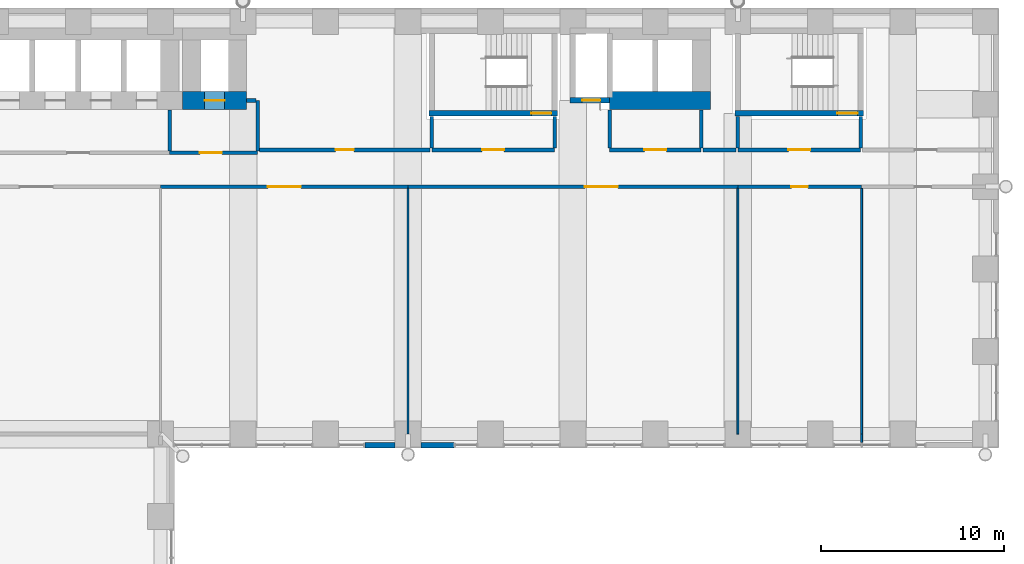
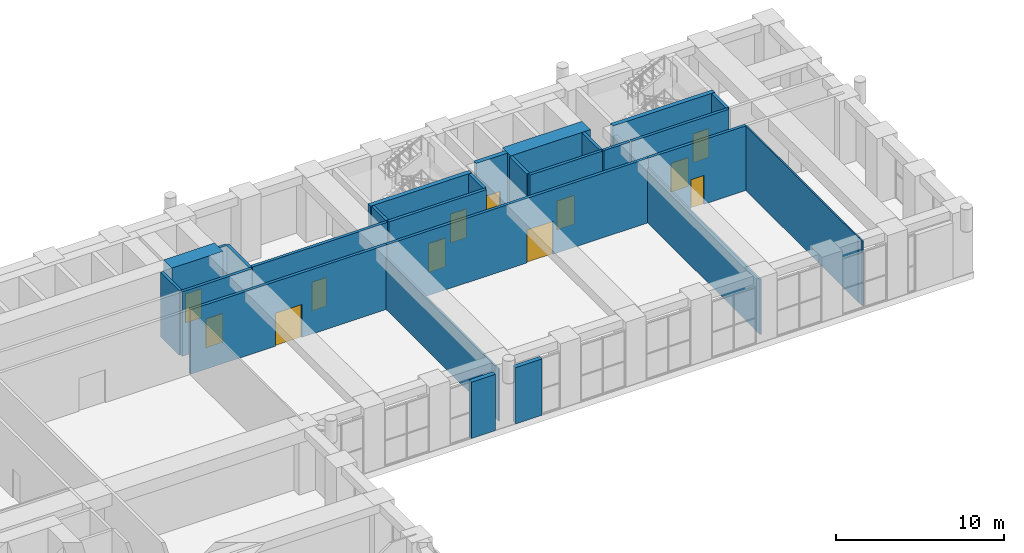
# One storey, part 20 of 35: 29 walls, 12 doors, 12 openings.
"""IFC4 building model written with IfcOpenShell, lengths in metres."""

from ifc_helpers import new_model, si_unit, direction, frame, frame_2d, origin, place, context, subcontext, project, spatial, rectangle, extrude, material, layer, layer_set, type_object, element, fill, save


model = new_model("IFC4")

# Units and contexts
model_context = context("Model", 3, precision=1e-05, world=origin(), true_north=direction((0.0, 1.0)))
body_context = subcontext(model_context, "Body", "Model", "MODEL_VIEW")
ifc_project = project(units=[si_unit("LENGTHUNIT", "METRE"), si_unit("AREAUNIT", "SQUARE_METRE"), si_unit("VOLUMEUNIT", "CUBIC_METRE"), si_unit("PLANEANGLEUNIT", "RADIAN"), si_unit("MASSUNIT", "GRAM", prefix="KILO")], contexts=[model_context])

# Site, building, storey
site_placement = place(None, origin())
site = spatial("IfcSite", under=ifc_project, at=site_placement, CompositionType="ELEMENT")
building_placement = place(site_placement, origin())
building = spatial("IfcBuilding", under=site, at=building_placement, Name="Firuza Court", CompositionType="ELEMENT")
storey_placement = place(building_placement, frame((0.0, 0.0, 24.0)))
storey = spatial("IfcBuildingStorey", under=building, at=storey_placement, Name="L04", CompositionType="ELEMENT", Elevation=24.0)

# Wall, opening, door
ifc_material_1 = material(Name="Concrete C60/75", Category="concrete")
ifc_layer_1 = layer(ifc_material_1, 1.0)
ifc_layer_set_1 = layer_set([ifc_layer_1], Name="Concrete C60/75")
wall_type_1 = type_object("IfcWallType", Name="Core wall 1000 C60/75", PredefinedType="SHEAR", material=ifc_layer_set_1)
wall_1_placement = place(storey_placement, frame((23.699951171875, 54.199951171875, -0.449951171875), z_axis=(0.0, 0.0, 1.0), x_axis=(1.0, 0.0, 0.0)))
wall_1 = element("IfcWall", 1, at=wall_1_placement, inside=storey, type_object=wall_type_1, Name="Core wall lift shaft L04", PredefinedType="SHEAR", context=body_context, shape_type="SweptSolid", body=[
    extrude(rectangle(XDim=3.5, YDim=1.0, at=frame_2d((1.75, 0.0))), origin(), (0.0, 0.0, 1.0), 5.14990234375),
])
opening_1_placement = place(wall_1_placement, frame((1.199951171875, 0.0, 0.449951171875)))
opening_1 = element("IfcOpeningElement", 2, at=opening_1_placement, cuts=wall_1, Name="Opening LD-FL3-04", PredefinedType="OPENING", context=body_context, shape_type="SweptSolid", body=[
    extrude(rectangle(XDim=1.10009765625, YDim=2.10009765625, at=frame_2d((0.550048828125, 1.050048828125))), frame((0.0, 0.511962890625, 0.0), z_axis=(0.0, -1.0, 0.0), x_axis=(1.0, 0.0, 0.0)), (0.0, 0.0, 1.0), 1.02392578125),
])
ifc_material_2 = material(Name="Stainless steel 1.4301 door leaf", Category="steel")
door_type_1 = type_object("IfcDoorType", Name="Lift landing door 1100", OperationType="SLIDING_TO_LEFT", PredefinedType="DOOR", material=ifc_material_2)
door_1_placement = place(opening_1_placement, origin())
door_1 = element("IfcDoor", 3, at=door_1_placement, inside=storey, type_object=door_type_1, Name="Landing door FL3", OperationType="SLIDING_TO_LEFT", OverallHeight=2.10009765625, OverallWidth=1.10009765625, PredefinedType="DOOR", context=body_context, shape_type="SweptSolid", body=[
    extrude(rectangle(XDim=1.10009765625, YDim=2.10009765625, at=frame_2d((0.550048828125, 1.050048828125))), frame((0.0, 0.02490234375, 0.0), z_axis=(0.0, -1.0, 0.0), x_axis=(1.0, 0.0, 0.0)), (0.0, 0.0, 1.0), 0.050048828125),
])
fill(opening_1, door_1)

# Wall
wall_2_placement = place(storey_placement, frame((47.0, 54.199951171875, -0.449951171875), z_axis=(0.0, 0.0, 1.0), x_axis=(1.0, 0.0, 0.0)))
element("IfcWall", 4, at=wall_2_placement, inside=storey, type_object=wall_type_1, Name="Core wall lift shaft L04", PredefinedType="SHEAR", context=body_context, shape_type="SweptSolid", body=[
    extrude(rectangle(XDim=5.5, YDim=1.0, at=frame_2d((2.75, 0.0))), origin(), (0.0, 0.0, 1.0), 5.14990234375),
])

# Wall, opening, door
ifc_layer_2 = layer(ifc_material_1, 0.300048828125)
ifc_layer_set_2 = layer_set([ifc_layer_2], Name="Concrete C60/75")
wall_type_2 = type_object("IfcWallType", Name="Core wall 300 C60/75", PredefinedType="SHEAR", material=ifc_layer_set_2)
wall_3_placement = place(storey_placement, frame((37.14990234375, 53.5, -0.449951171875), z_axis=(0.0, 0.0, 1.0), x_axis=(1.0, 0.0, 0.0)))
wall_3 = element("IfcWall", 5, at=wall_3_placement, inside=storey, type_object=wall_type_2, Name="Core wall stair L04", PredefinedType="SHEAR", context=body_context, shape_type="SweptSolid", body=[
    extrude(rectangle(XDim=7.0, YDim=0.300048828125, at=frame_2d((3.5, 0.0))), origin(), (0.0, 0.0, 1.0), 5.14990234375),
])
opening_2_placement = place(wall_3_placement, frame((5.580078125, 0.0, 0.449951171875)))
opening_2 = element("IfcOpeningElement", 6, at=opening_2_placement, cuts=wall_3, Name="Opening D04013", PredefinedType="OPENING", context=body_context, shape_type="SweptSolid", body=[
    extrude(rectangle(XDim=1.10009765625, YDim=2.10009765625, at=frame_2d((0.550048828125, 1.050048828125))), frame((0.0, 0.162109375, 0.0), z_axis=(0.0, -1.0, 0.0), x_axis=(1.0, 0.0, 0.0)), (0.0, 0.0, 1.0), 0.323974609375),
])
ifc_material_3 = material(Name="Timber door leaf in hardwood frame", Category="wood")
door_type_2 = type_object("IfcDoorType", Name="Stair door 1100", OperationType="SINGLE_SWING_LEFT", PredefinedType="DOOR", material=ifc_material_3)
door_2_placement = place(opening_2_placement, origin())
door_2 = element("IfcDoor", 7, at=door_2_placement, inside=storey, type_object=door_type_2, Name="Stair door S1", OperationType="SINGLE_SWING_RIGHT", OverallHeight=2.10009765625, OverallWidth=1.10009765625, PredefinedType="DOOR", context=body_context, shape_type="SweptSolid", body=[
    extrude(rectangle(XDim=1.10009765625, YDim=2.10009765625, at=frame_2d((0.550048828125, 1.050048828125))), frame((0.0, 0.02490234375, 0.0), z_axis=(0.0, -1.0, 0.0), x_axis=(1.0, 0.0, 0.0)), (0.0, 0.0, 1.0), 0.050048828125),
])
fill(opening_2, door_2)

wall_4_placement = place(storey_placement, frame((44.85009765625, 54.199951171875, -0.449951171875), z_axis=(0.0, 0.0, 1.0), x_axis=(1.0, 0.0, 0.0)))
wall_4 = element("IfcWall", 8, at=wall_4_placement, inside=storey, type_object=wall_type_2, Name="Core wall riser L04", PredefinedType="SHEAR", context=body_context, shape_type="SweptSolid", body=[
    extrude(rectangle(XDim=2.14990234375, YDim=0.300048828125, at=frame_2d((1.074951171875, 0.0))), origin(), (0.0, 0.0, 1.0), 5.14990234375),
])
opening_3_placement = place(wall_4_placement, frame((0.64990234375, 0.0, 0.449951171875)))
opening_3 = element("IfcOpeningElement", 9, at=opening_3_placement, cuts=wall_4, Name="Opening D04011", PredefinedType="OPENING", context=body_context, shape_type="SweptSolid", body=[
    extrude(rectangle(XDim=1.0, YDim=2.10009765625, at=frame_2d((0.5, 1.050048828125))), frame((0.0, 0.162109375, 0.0), z_axis=(0.0, -1.0, 0.0), x_axis=(1.0, 0.0, 0.0)), (0.0, 0.0, 1.0), 0.323974609375),
])
ifc_material_4 = material(Name="Timber door leaf in hardwood frame", Category="wood")
door_type_3 = type_object("IfcDoorType", Name="Riser door 1000", OperationType="SINGLE_SWING_LEFT", PredefinedType="DOOR", material=ifc_material_4)
door_3_placement = place(opening_3_placement, frame((1.0, 0.0, 0.0), z_axis=(0.0, 0.0, 1.0), x_axis=(-1.0, 0.0, 0.0)))
door_3 = element("IfcDoor", 10, at=door_3_placement, inside=storey, type_object=door_type_3, Name="Riser door R3", OperationType="SINGLE_SWING_RIGHT", OverallHeight=2.10009765625, OverallWidth=1.0, PredefinedType="DOOR", context=body_context, shape_type="SweptSolid", body=[
    extrude(rectangle(XDim=1.0, YDim=2.10009765625, at=frame_2d((0.5, 1.050048828125))), frame((0.0, 0.02490234375, 0.0), z_axis=(0.0, -1.0, 0.0), x_axis=(1.0, 0.0, 0.0)), (0.0, 0.0, 1.0), 0.050048828125),
])
fill(opening_3, door_3)

wall_5_placement = place(storey_placement, frame((53.85009765625, 53.5, -0.449951171875), z_axis=(0.0, 0.0, 1.0), x_axis=(1.0, 0.0, 0.0)))
wall_5 = element("IfcWall", 11, at=wall_5_placement, inside=storey, type_object=wall_type_2, Name="Core wall stair L04", PredefinedType="SHEAR", context=body_context, shape_type="SweptSolid", body=[
    extrude(rectangle(XDim=7.0, YDim=0.300048828125, at=frame_2d((3.5, 0.0))), origin(), (0.0, 0.0, 1.0), 5.14990234375),
])
opening_4_placement = place(wall_5_placement, frame((5.580078125, 0.0, 0.449951171875)))
opening_4 = element("IfcOpeningElement", 12, at=opening_4_placement, cuts=wall_5, Name="Opening D04017", PredefinedType="OPENING", context=body_context, shape_type="SweptSolid", body=[
    extrude(rectangle(XDim=1.10009765625, YDim=2.10009765625, at=frame_2d((0.550048828125, 1.050048828125))), frame((0.0, 0.162109375, 0.0), z_axis=(0.0, -1.0, 0.0), x_axis=(1.0, 0.0, 0.0)), (0.0, 0.0, 1.0), 0.323974609375),
])
door_4_placement = place(opening_4_placement, origin())
door_4 = element("IfcDoor", 13, at=door_4_placement, inside=storey, type_object=door_type_2, Name="Stair door S4", OperationType="SINGLE_SWING_RIGHT", OverallHeight=2.10009765625, OverallWidth=1.10009765625, PredefinedType="DOOR", context=body_context, shape_type="SweptSolid", body=[
    extrude(rectangle(XDim=1.10009765625, YDim=2.10009765625, at=frame_2d((0.550048828125, 1.050048828125))), frame((0.0, 0.02490234375, 0.0), z_axis=(0.0, -1.0, 0.0), x_axis=(1.0, 0.0, 0.0)), (0.0, 0.0, 1.0), 0.050048828125),
])
fill(opening_4, door_4)

ifc_material_5 = material(Name="Blockwork, plastered both sides", Category="masonry")
ifc_layer_3 = layer(ifc_material_5, 0.199951171875)
ifc_layer_set_3 = layer_set([ifc_layer_3], Name="Blockwork, plastered both sides")
wall_type_3 = type_object("IfcWallType", Name="Corridor wall 200", PredefinedType="PARTITIONING", material=ifc_layer_set_3)
wall_6_placement = place(storey_placement, frame((22.5, 49.5, 0.0), z_axis=(0.0, 0.0, 1.0), x_axis=(1.0, 0.0, 0.0)))
wall_6 = element("IfcWall", 14, at=wall_6_placement, inside=storey, type_object=wall_type_3, Name="Corridor wall 200 L04", PredefinedType="PARTITIONING", context=body_context, shape_type="SweptSolid", body=[
    extrude(rectangle(XDim=13.5, YDim=0.199951171875, at=frame_2d((6.75, 0.0))), origin(), (0.0, 0.0, 1.0), 4.699951171875),
])
opening_5_placement = place(wall_6_placement, frame((5.85009765625, 0.0, 0.0)))
opening_5 = element("IfcOpeningElement", 15, at=opening_5_placement, cuts=wall_6, Name="Opening D04029", PredefinedType="OPENING", context=body_context, shape_type="SweptSolid", body=[
    extrude(rectangle(XDim=1.800048828125, YDim=2.39990234375, at=frame_2d((0.89990234375, 1.199951171875))), frame((0.0, 0.11181640625, 0.0), z_axis=(0.0, -1.0, 0.0), x_axis=(1.0, 0.0, 0.0)), (0.0, 0.0, 1.0), 0.223876953125),
])
ifc_material_6 = material(Name="Timber door leaf in hardwood frame", Category="wood")
door_type_4 = type_object("IfcDoorType", Name="Double door 1800 EI 30", OperationType="DOUBLE_DOOR_SINGLE_SWING", PredefinedType="DOOR", material=ifc_material_6)
door_5_placement = place(opening_5_placement, origin())
door_5 = element("IfcDoor", 16, at=door_5_placement, inside=storey, type_object=door_type_4, Name="Double door", OperationType="DOUBLE_DOOR_SINGLE_SWING", OverallHeight=2.39990234375, OverallWidth=1.800048828125, PredefinedType="DOOR", context=body_context, shape_type="SweptSolid", body=[
    extrude(rectangle(XDim=1.800048828125, YDim=2.39990234375, at=frame_2d((0.89990234375, 1.199951171875))), frame((0.0, 0.02490234375, 0.0), z_axis=(0.0, -1.0, 0.0), x_axis=(1.0, 0.0, 0.0)), (0.0, 0.0, 1.0), 0.050048828125),
])
fill(opening_5, door_5)

wall_7_placement = place(storey_placement, frame((36.0, 49.5, 0.0), z_axis=(0.0, 0.0, 1.0), x_axis=(1.0, 0.0, 0.0)))
wall_7 = element("IfcWall", 17, at=wall_7_placement, inside=storey, type_object=wall_type_3, Name="Corridor wall 200 L04", PredefinedType="PARTITIONING", context=body_context, shape_type="SweptSolid", body=[
    extrude(rectangle(XDim=18.0, YDim=0.199951171875, at=frame_2d((9.0, 0.0))), origin(), (0.0, 0.0, 1.0), 4.699951171875),
])
opening_6_placement = place(wall_7_placement, frame((9.64990234375, 0.0, 0.0)))
opening_6 = element("IfcOpeningElement", 18, at=opening_6_placement, cuts=wall_7, Name="Opening D04030", PredefinedType="OPENING", context=body_context, shape_type="SweptSolid", body=[
    extrude(rectangle(XDim=1.800048828125, YDim=2.39990234375, at=frame_2d((0.89990234375, 1.199951171875))), frame((0.0, 0.11181640625, 0.0), z_axis=(0.0, -1.0, 0.0), x_axis=(1.0, 0.0, 0.0)), (0.0, 0.0, 1.0), 0.223876953125),
])
door_6_placement = place(opening_6_placement, origin())
door_6 = element("IfcDoor", 19, at=door_6_placement, inside=storey, type_object=door_type_4, Name="Double door", OperationType="DOUBLE_DOOR_SINGLE_SWING", OverallHeight=2.39990234375, OverallWidth=1.800048828125, PredefinedType="DOOR", context=body_context, shape_type="SweptSolid", body=[
    extrude(rectangle(XDim=1.800048828125, YDim=2.39990234375, at=frame_2d((0.89990234375, 1.199951171875))), frame((0.0, 0.02490234375, 0.0), z_axis=(0.0, -1.0, 0.0), x_axis=(1.0, 0.0, 0.0)), (0.0, 0.0, 1.0), 0.050048828125),
])
fill(opening_6, door_6)

wall_8_placement = place(storey_placement, frame((54.0, 49.5, 0.0), z_axis=(0.0, 0.0, 1.0), x_axis=(1.0, 0.0, 0.0)))
wall_8 = element("IfcWall", 20, at=wall_8_placement, inside=storey, type_object=wall_type_3, Name="Corridor wall 200 L04", PredefinedType="PARTITIONING", context=body_context, shape_type="SweptSolid", body=[
    extrude(rectangle(XDim=6.75, YDim=0.199951171875, at=frame_2d((3.375, 0.0))), origin(), (0.0, 0.0, 1.0), 4.699951171875),
])
opening_7_placement = place(wall_8_placement, frame((2.925048828125, 0.0, 0.0)))
opening_7 = element("IfcOpeningElement", 21, at=opening_7_placement, cuts=wall_8, Name="Opening D04031", PredefinedType="OPENING", context=body_context, shape_type="SweptSolid", body=[
    extrude(rectangle(XDim=0.89990234375, YDim=2.10009765625, at=frame_2d((0.449951171875, 1.050048828125))), frame((0.0, 0.11181640625, 0.0), z_axis=(0.0, -1.0, 0.0), x_axis=(1.0, 0.0, 0.0)), (0.0, 0.0, 1.0), 0.223876953125),
])
ifc_material_7 = material(Name="Timber door leaf in hardwood frame", Category="wood")
door_type_5 = type_object("IfcDoorType", Name="Room door 900 EI 30", OperationType="SINGLE_SWING_LEFT", PredefinedType="DOOR", material=ifc_material_7)
door_7_placement = place(opening_7_placement, origin())
door_7 = element("IfcDoor", 22, at=door_7_placement, inside=storey, type_object=door_type_5, Name="Room door", OperationType="SINGLE_SWING_LEFT", OverallHeight=2.10009765625, OverallWidth=0.89990234375, PredefinedType="DOOR", context=body_context, shape_type="SweptSolid", body=[
    extrude(rectangle(XDim=0.89990234375, YDim=2.10009765625, at=frame_2d((0.449951171875, 1.050048828125))), frame((0.0, 0.02490234375, 0.0), z_axis=(0.0, -1.0, 0.0), x_axis=(1.0, 0.0, 0.0)), (0.0, 0.0, 1.0), 0.050048828125),
])
fill(opening_7, door_7)

# Walls
ifc_material_8 = material(Name="Timber stud partition, plasterboard both sides", Category="wood")
ifc_layer_4 = layer(ifc_material_8, 0.10009765625)
ifc_layer_set_4 = layer_set([ifc_layer_4], Name="Timber stud partition, plasterboard both sides")
wall_type_4 = type_object("IfcWallType", Name="Partition wall 100", PredefinedType="PARTITIONING", material=ifc_layer_set_4)
wall_9_placement = place(storey_placement, frame((60.75, 36.0, 0.0), z_axis=(0.0, 0.0, 1.0), x_axis=(0.0, -1.0, 0.0)))
element("IfcWall", 23, at=wall_9_placement, inside=storey, type_object=wall_type_4, Name="Partition wall 100 L04", PredefinedType="PARTITIONING", context=body_context, shape_type="SweptSolid", body=[
    extrude(rectangle(XDim=0.449951171875, YDim=0.10009765625, at=frame_2d((0.22509765625, 0.0))), origin(), (0.0, 0.0, 1.0), 4.699951171875),
])
wall_10_placement = place(storey_placement, frame((36.0, 49.39990234375, 0.0), z_axis=(0.0, 0.0, 1.0), x_axis=(0.0, -1.0, 0.0)))
element("IfcWall", 24, at=wall_10_placement, inside=storey, type_object=wall_type_4, Name="Partition wall 100 L04", PredefinedType="PARTITIONING", context=body_context, shape_type="SweptSolid", body=[
    extrude(rectangle(XDim=13.39990234375, YDim=0.10009765625, at=frame_2d((6.699951171875, 0.0))), origin(), (0.0, 0.0, 1.0), 3.800048828125),
])
wall_11_placement = place(storey_placement, frame((54.0, 49.39990234375, 0.0), z_axis=(0.0, 0.0, 1.0), x_axis=(0.0, -1.0, 0.0)))
element("IfcWall", 25, at=wall_11_placement, inside=storey, type_object=wall_type_4, Name="Partition wall 100 L04", PredefinedType="PARTITIONING", context=body_context, shape_type="SweptSolid", body=[
    extrude(rectangle(XDim=13.39990234375, YDim=0.10009765625, at=frame_2d((6.699951171875, 0.0))), origin(), (0.0, 0.0, 1.0), 4.0),
])
wall_12_placement = place(storey_placement, frame((60.75, 49.39990234375, 0.0), z_axis=(0.0, 0.0, 1.0), x_axis=(0.0, -1.0, 0.0)))
element("IfcWall", 26, at=wall_12_placement, inside=storey, type_object=wall_type_4, Name="Partition wall 100 L04", PredefinedType="PARTITIONING", context=body_context, shape_type="SweptSolid", body=[
    extrude(rectangle(XDim=13.39990234375, YDim=0.10009765625, at=frame_2d((6.699951171875, 0.0))), origin(), (0.0, 0.0, 1.0), 4.699951171875),
])

# Wall, opening, door
ifc_material_9 = material(Name="Blockwork, fire-rated", Category="masonry")
ifc_layer_5 = layer(ifc_material_9, 0.199951171875)
ifc_layer_set_5 = layer_set([ifc_layer_5], Name="Blockwork, fire-rated")
wall_type_5 = type_object("IfcWallType", Name="Plant room wall 200", PredefinedType="PARTITIONING", material=ifc_layer_set_5)
wall_13_placement = place(storey_placement, frame((37.199951171875, 51.5, 0.0), z_axis=(0.0, 0.0, 1.0), x_axis=(-1.0, 0.0, 0.0)))
wall_13 = element("IfcWall", 27, at=wall_13_placement, inside=storey, type_object=wall_type_5, Name="Plant room wall 200 L04", PredefinedType="PARTITIONING", context=body_context, shape_type="SweptSolid", body=[
    extrude(rectangle(XDim=9.300048828125, YDim=0.199951171875, at=frame_2d((4.64990234375, 0.0))), origin(), (0.0, 0.0, 1.0), 4.699951171875),
])
opening_8_placement = place(wall_13_placement, frame((4.14990234375, 0.0, 0.0)))
opening_8 = element("IfcOpeningElement", 28, at=opening_8_placement, cuts=wall_13, Name="Opening D04033", PredefinedType="OPENING", context=body_context, shape_type="SweptSolid", body=[
    extrude(rectangle(XDim=1.0, YDim=2.10009765625, at=frame_2d((0.5, 1.050048828125))), frame((0.0, 0.11181640625, 0.0), z_axis=(0.0, -1.0, 0.0), x_axis=(1.0, 0.0, 0.0)), (0.0, 0.0, 1.0), 0.223876953125),
])
ifc_material_10 = material(Name="Timber door leaf in hardwood frame", Category="wood")
door_type_6 = type_object("IfcDoorType", Name="Store door 1000", OperationType="SINGLE_SWING_LEFT", PredefinedType="DOOR", material=ifc_material_10)
door_8_placement = place(opening_8_placement, frame((1.0, 0.0, 0.0), z_axis=(0.0, 0.0, 1.0), x_axis=(-1.0, 0.0, 0.0)))
door_8 = element("IfcDoor", 29, at=door_8_placement, inside=storey, type_object=door_type_6, Name="Store door", OperationType="SINGLE_SWING_RIGHT", OverallHeight=2.10009765625, OverallWidth=1.0, PredefinedType="DOOR", context=body_context, shape_type="SweptSolid", body=[
    extrude(rectangle(XDim=1.0, YDim=2.10009765625, at=frame_2d((0.5, 1.050048828125))), frame((0.0, 0.02490234375, 0.0), z_axis=(0.0, -1.0, 0.0), x_axis=(1.0, 0.0, 0.0)), (0.0, 0.0, 1.0), 0.050048828125),
])
fill(opening_8, door_8)

# Walls
wall_14_placement = place(storey_placement, frame((53.89990234375, 51.5, 0.0), z_axis=(0.0, 0.0, 1.0), x_axis=(-1.0, 0.0, 0.0)))
element("IfcWall", 30, at=wall_14_placement, inside=storey, type_object=wall_type_5, Name="Plant room wall 200 L04", PredefinedType="PARTITIONING", context=body_context, shape_type="SweptSolid", body=[
    extrude(rectangle(XDim=1.7998046875, YDim=0.199951171875, at=frame_2d((0.89990234375, 0.0))), origin(), (0.0, 0.0, 1.0), 4.699951171875),
])
ifc_material_11 = material(Name="Ceramic tile", Category="ceramic")
ifc_layer_6 = layer(ifc_material_11, 0.02001953125)
ifc_material_12 = material(Name="Mineral wool insulation", Category="insulation")
ifc_layer_7 = layer(ifc_material_12, 0.1298828125)
ifc_material_13 = material(Name="Concrete C40/50 precast", Category="concrete")
ifc_layer_8 = layer(ifc_material_13, 0.14990234375)
ifc_layer_set_6 = layer_set([ifc_layer_6, ifc_layer_7, ifc_layer_8], Name="Concrete C40/50 precast")
wall_type_6 = type_object("IfcWallType", Name="Precast spandrel wall with turquoise TILE PANEL face 300", PredefinedType="STANDARD", material=ifc_layer_set_6)
wall_15_placement = place(storey_placement, frame((33.651611328125, 35.39990234375, 0.0), z_axis=(0.0, 0.0, 1.0), x_axis=(1.0, 0.0, 0.0)))
element("IfcWall", 31, at=wall_15_placement, inside=storey, type_object=wall_type_6, Name="Facade wall L04 S", PredefinedType="STANDARD", context=body_context, shape_type="SweptSolid", body=[
    extrude(rectangle(XDim=1.6484375, YDim=0.300048828125, at=frame_2d((0.82421875, 0.0))), origin(), (0.0, 0.0, 1.0), 4.10009765625),
])
wall_16_placement = place(storey_placement, frame((36.699951171875, 35.39990234375, 0.0), z_axis=(0.0, 0.0, 1.0), x_axis=(1.0, 0.0, 0.0)))
element("IfcWall", 32, at=wall_16_placement, inside=storey, type_object=wall_type_6, Name="Facade wall L04 S", PredefinedType="STANDARD", context=body_context, shape_type="SweptSolid", body=[
    extrude(rectangle(XDim=1.809326171875, YDim=0.300048828125, at=frame_2d((0.90478515625, 0.0))), origin(), (0.0, 0.0, 1.0), 4.10009765625),
])
ifc_layer_9 = layer(ifc_material_9, 0.199951171875)
ifc_layer_set_7 = layer_set([ifc_layer_9], Name="Blockwork, fire-rated")
wall_type_7 = type_object("IfcWallType", Name="Shaft wall 200", PredefinedType="PARTITIONING", material=ifc_layer_set_7)
wall_17_placement = place(storey_placement, frame((23.0, 51.449951171875, 0.0), z_axis=(0.0, 0.0, 1.0), x_axis=(0.0, 1.0, 0.0)))
element("IfcWall", 33, at=wall_17_placement, inside=storey, type_object=wall_type_7, Name="Shaft wall 200 L04", PredefinedType="PARTITIONING", context=body_context, shape_type="SweptSolid", body=[
    extrude(rectangle(XDim=2.22998046875, YDim=0.199951171875, at=frame_2d((1.114990234375, 0.0))), origin(), (0.0, 0.0, 1.0), 4.699951171875),
])

# Wall, opening, door
wall_18_placement = place(storey_placement, frame((47.0, 51.5, 0.0), z_axis=(0.0, 0.0, 1.0), x_axis=(1.0, 0.0, 0.0)))
wall_18 = element("IfcWall", 34, at=wall_18_placement, inside=storey, type_object=wall_type_7, Name="Shaft wall 200 L04", PredefinedType="PARTITIONING", context=body_context, shape_type="SweptSolid", body=[
    extrude(rectangle(XDim=5.0, YDim=0.199951171875, at=frame_2d((2.5, 0.0))), origin(), (0.0, 0.0, 1.0), 4.699951171875),
])
opening_9_placement = place(wall_18_placement, frame((1.89990234375, 0.0, 0.0)))
opening_9 = element("IfcOpeningElement", 35, at=opening_9_placement, cuts=wall_18, Name="Opening D04009", PredefinedType="OPENING", context=body_context, shape_type="SweptSolid", body=[
    extrude(rectangle(XDim=1.199951171875, YDim=2.10009765625, at=frame_2d((0.60009765625, 1.050048828125))), frame((0.0, 0.11181640625, 0.0), z_axis=(0.0, -1.0, 0.0), x_axis=(1.0, 0.0, 0.0)), (0.0, 0.0, 1.0), 0.223876953125),
])
ifc_material_14 = material(Name="Timber door leaf in hardwood frame", Category="wood")
door_type_7 = type_object("IfcDoorType", Name="Lobby door 1200", OperationType="SINGLE_SWING_LEFT", PredefinedType="DOOR", material=ifc_material_14)
door_9_placement = place(opening_9_placement, origin())
door_9 = element("IfcDoor", 36, at=door_9_placement, inside=storey, type_object=door_type_7, Name="Lobby door", OperationType="SINGLE_SWING_LEFT", OverallHeight=2.10009765625, OverallWidth=1.199951171875, PredefinedType="DOOR", context=body_context, shape_type="SweptSolid", body=[
    extrude(rectangle(XDim=1.199951171875, YDim=2.10009765625, at=frame_2d((0.60009765625, 1.050048828125))), frame((0.0, 0.02490234375, 0.0), z_axis=(0.0, -1.0, 0.0), x_axis=(1.0, 0.0, 0.0)), (0.0, 0.0, 1.0), 0.050048828125),
])
fill(opening_9, door_9)

# Walls
for number, where, z_axis, x_axis, name in (
    (37, (52.0, 51.60009765625, 0.0), (0.0, 0.0, 1.0), (0.0, 1.0, 0.0), "Shaft wall 200 L04"),
    (38, (47.0, 51.60009765625, 0.0), (0.0, 0.0, 1.0), (0.0, 1.0, 0.0), "Shaft wall 200 L04"),
):
    element("IfcWall", number, at=place(storey_placement, frame(where, z_axis=z_axis, x_axis=x_axis)), inside=storey, type_object=wall_type_7, Name=name, PredefinedType="PARTITIONING", context=body_context, shape_type="SweptSolid", body=[
        extrude(rectangle(XDim=2.079833984375, YDim=0.199951171875, at=frame_2d((1.0400390625, 0.0))), origin(), (0.0, 0.0, 1.0), 4.699951171875),
    ])

# Wall, opening, door
wall_19_placement = place(storey_placement, frame((23.0, 51.35009765625, 0.0), z_axis=(0.0, 0.0, 1.0), x_axis=(1.0, 0.0, 0.0)))
wall_19 = element("IfcWall", 39, at=wall_19_placement, inside=storey, type_object=wall_type_7, Name="Shaft wall 200 L04", PredefinedType="PARTITIONING", context=body_context, shape_type="SweptSolid", body=[
    extrude(rectangle(XDim=4.800048828125, YDim=0.199951171875, at=frame_2d((2.39990234375, 0.0))), origin(), (0.0, 0.0, 1.0), 4.699951171875),
])
opening_10_placement = place(wall_19_placement, frame((1.64990234375, 0.0, 0.0)))
opening_10 = element("IfcOpeningElement", 40, at=opening_10_placement, cuts=wall_19, Name="Opening D04003", PredefinedType="OPENING", context=body_context, shape_type="SweptSolid", body=[
    extrude(rectangle(XDim=1.199951171875, YDim=2.10009765625, at=frame_2d((0.60009765625, 1.050048828125))), frame((0.0, 0.11181640625, 0.0), z_axis=(0.0, -1.0, 0.0), x_axis=(1.0, 0.0, 0.0)), (0.0, 0.0, 1.0), 0.223876953125),
])
door_10_placement = place(opening_10_placement, origin())
door_10 = element("IfcDoor", 41, at=door_10_placement, inside=storey, type_object=door_type_7, Name="Fire-fighting lobby door", OperationType="SINGLE_SWING_LEFT", OverallHeight=2.10009765625, OverallWidth=1.199951171875, PredefinedType="DOOR", context=body_context, shape_type="SweptSolid", body=[
    extrude(rectangle(XDim=1.199951171875, YDim=2.10009765625, at=frame_2d((0.60009765625, 1.050048828125))), frame((0.0, 0.02490234375, 0.0), z_axis=(0.0, -1.0, 0.0), x_axis=(1.0, 0.0, 0.0)), (0.0, 0.0, 1.0), 0.050048828125),
])
fill(opening_10, door_10)

# Walls
wall_20_placement = place(storey_placement, frame((27.800048828125, 51.449951171875, 0.0), z_axis=(0.0, 0.0, 1.0), x_axis=(0.0, 1.0, 0.0)))
element("IfcWall", 42, at=wall_20_placement, inside=storey, type_object=wall_type_7, Name="Shaft wall 200 L04", PredefinedType="PARTITIONING", context=body_context, shape_type="SweptSolid", body=[
    extrude(rectangle(XDim=2.75, YDim=0.199951171875, at=frame_2d((1.375, 0.0))), origin(), (0.0, 0.0, 1.0), 4.699951171875),
])
wall_21_placement = place(storey_placement, frame((27.199951171875, 54.199951171875, 0.0), z_axis=(0.0, 0.0, 1.0), x_axis=(1.0, 0.0, 0.0)))
element("IfcWall", 43, at=wall_21_placement, inside=storey, type_object=wall_type_7, Name="Shaft wall 200 L04", PredefinedType="PARTITIONING", context=body_context, shape_type="SweptSolid", body=[
    extrude(rectangle(XDim=0.5, YDim=0.199951171875, at=frame_2d((0.25, 0.0))), origin(), (0.0, 0.0, 1.0), 4.699951171875),
])

# Wall, opening, door
wall_22_placement = place(storey_placement, frame((37.300048828125, 51.5, 0.0), z_axis=(0.0, 0.0, 1.0), x_axis=(1.0, 0.0, 0.0)))
wall_22 = element("IfcWall", 44, at=wall_22_placement, inside=storey, type_object=wall_type_7, Name="Shaft wall 200 L04", PredefinedType="PARTITIONING", context=body_context, shape_type="SweptSolid", body=[
    extrude(rectangle(XDim=6.699951171875, YDim=0.199951171875, at=frame_2d((3.35009765625, 0.0))), origin(), (0.0, 0.0, 1.0), 4.699951171875),
])
opening_11_placement = place(wall_22_placement, frame((2.75, 0.0, 0.0)))
opening_11 = element("IfcOpeningElement", 45, at=opening_11_placement, cuts=wall_22, Name="Opening D04006", PredefinedType="OPENING", context=body_context, shape_type="SweptSolid", body=[
    extrude(rectangle(XDim=1.199951171875, YDim=2.10009765625, at=frame_2d((0.60009765625, 1.050048828125))), frame((0.0, 0.11181640625, 0.0), z_axis=(0.0, -1.0, 0.0), x_axis=(1.0, 0.0, 0.0)), (0.0, 0.0, 1.0), 0.223876953125),
])
door_11_placement = place(opening_11_placement, origin())
door_11 = element("IfcDoor", 46, at=door_11_placement, inside=storey, type_object=door_type_7, Name="Lobby door", OperationType="SINGLE_SWING_LEFT", OverallHeight=2.10009765625, OverallWidth=1.199951171875, PredefinedType="DOOR", context=body_context, shape_type="SweptSolid", body=[
    extrude(rectangle(XDim=1.199951171875, YDim=2.10009765625, at=frame_2d((0.60009765625, 1.050048828125))), frame((0.0, 0.02490234375, 0.0), z_axis=(0.0, -1.0, 0.0), x_axis=(1.0, 0.0, 0.0)), (0.0, 0.0, 1.0), 0.050048828125),
])
fill(opening_11, door_11)

# Walls
for number, where, z_axis, x_axis, name in (
    (47, (44.0, 51.60009765625, 0.0), (0.0, 0.0, 1.0), (0.0, 1.0, 0.0), "Shaft wall 200 L04"),
    (48, (37.300048828125, 51.60009765625, 0.0), (0.0, 0.0, 1.0), (0.0, 1.0, 0.0), "Shaft wall 200 L04"),
):
    element("IfcWall", number, at=place(storey_placement, frame(where, z_axis=z_axis, x_axis=x_axis)), inside=storey, type_object=wall_type_7, Name=name, PredefinedType="PARTITIONING", context=body_context, shape_type="SweptSolid", body=[
        extrude(rectangle(XDim=1.72998046875, YDim=0.199951171875, at=frame_2d((0.864990234375, 0.0))), origin(), (0.0, 0.0, 1.0), 4.699951171875),
    ])

# Wall, opening, door
wall_23_placement = place(storey_placement, frame((54.0, 51.5, 0.0), z_axis=(0.0, 0.0, 1.0), x_axis=(1.0, 0.0, 0.0)))
wall_23 = element("IfcWall", 49, at=wall_23_placement, inside=storey, type_object=wall_type_7, Name="Shaft wall 200 L04", PredefinedType="PARTITIONING", context=body_context, shape_type="SweptSolid", body=[
    extrude(rectangle(XDim=6.699951171875, YDim=0.199951171875, at=frame_2d((3.35009765625, 0.0))), origin(), (0.0, 0.0, 1.0), 4.699951171875),
])
opening_12_placement = place(wall_23_placement, frame((2.75, 0.0, 0.0)))
opening_12 = element("IfcOpeningElement", 50, at=opening_12_placement, cuts=wall_23, Name="Opening D04007", PredefinedType="OPENING", context=body_context, shape_type="SweptSolid", body=[
    extrude(rectangle(XDim=1.199951171875, YDim=2.10009765625, at=frame_2d((0.60009765625, 1.050048828125))), frame((0.0, 0.11181640625, 0.0), z_axis=(0.0, -1.0, 0.0), x_axis=(1.0, 0.0, 0.0)), (0.0, 0.0, 1.0), 0.223876953125),
])
door_12_placement = place(opening_12_placement, origin())
door_12 = element("IfcDoor", 51, at=door_12_placement, inside=storey, type_object=door_type_7, Name="Lobby door", OperationType="SINGLE_SWING_LEFT", OverallHeight=2.10009765625, OverallWidth=1.199951171875, PredefinedType="DOOR", context=body_context, shape_type="SweptSolid", body=[
    extrude(rectangle(XDim=1.199951171875, YDim=2.10009765625, at=frame_2d((0.60009765625, 1.050048828125))), frame((0.0, 0.02490234375, 0.0), z_axis=(0.0, -1.0, 0.0), x_axis=(1.0, 0.0, 0.0)), (0.0, 0.0, 1.0), 0.050048828125),
])
fill(opening_12, door_12)

# Walls
wall_24_placement = place(storey_placement, frame((60.699951171875, 51.60009765625, 0.0), z_axis=(0.0, 0.0, 1.0), x_axis=(0.0, 1.0, 0.0)))
element("IfcWall", 52, at=wall_24_placement, inside=storey, type_object=wall_type_7, Name="Shaft wall 200 L04", PredefinedType="PARTITIONING", context=body_context, shape_type="SweptSolid", body=[
    extrude(rectangle(XDim=1.72998046875, YDim=0.199951171875, at=frame_2d((0.864990234375, 0.0))), origin(), (0.0, 0.0, 1.0), 4.699951171875),
])
wall_25_placement = place(storey_placement, frame((54.0, 51.60009765625, 0.0), z_axis=(0.0, 0.0, 1.0), x_axis=(0.0, 1.0, 0.0)))
element("IfcWall", 53, at=wall_25_placement, inside=storey, type_object=wall_type_7, Name="Shaft wall 200 L04", PredefinedType="PARTITIONING", context=body_context, shape_type="SweptSolid", body=[
    extrude(rectangle(XDim=1.72998046875, YDim=0.199951171875, at=frame_2d((0.864990234375, 0.0))), origin(), (0.0, 0.0, 1.0), 4.0),
])

save(model, "model.ifc")
